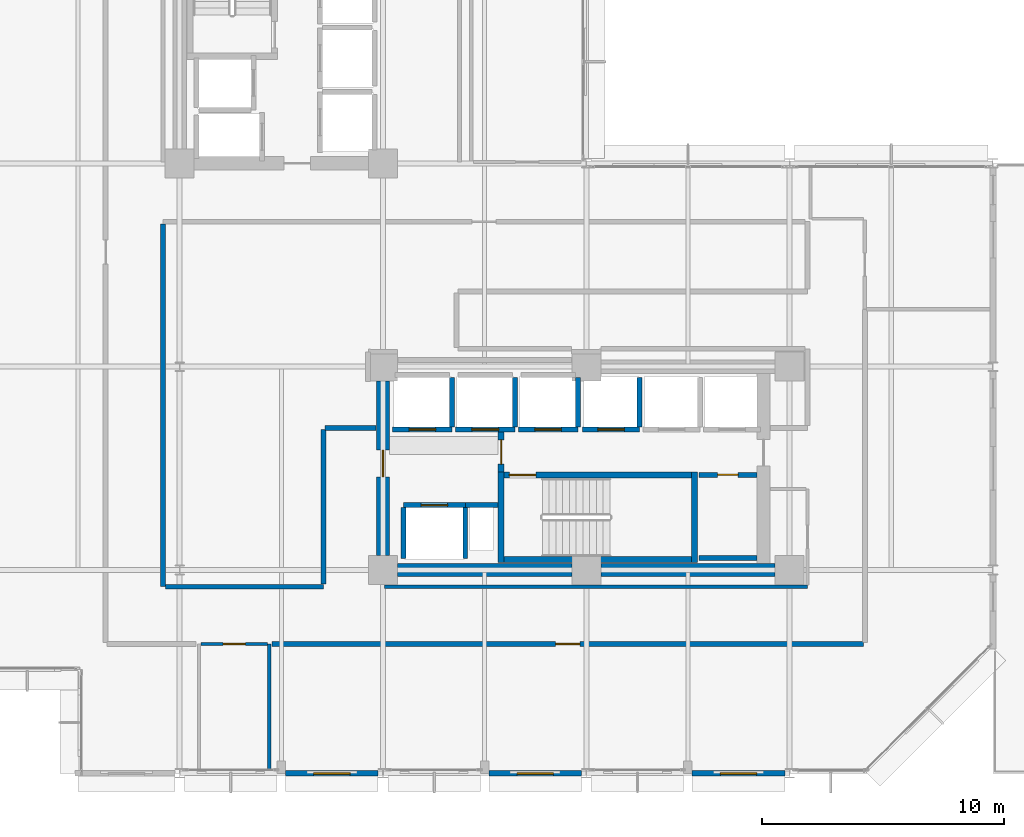
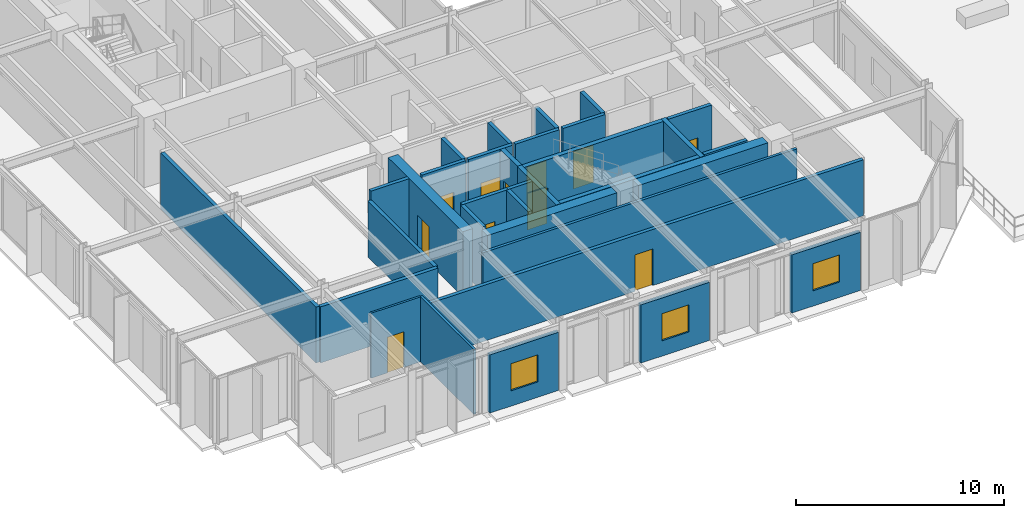
# One storey, part 18 of 25: 33 walls, 11 doors, 3 windows, 14 openings.
"""IFC4 building model written with IfcOpenShell, lengths in metres."""

from ifc_helpers import new_model, si_unit, direction, frame, frame_2d, origin, place, context, subcontext, project, spatial, rectangle, extrude, material, layer, layer_set, type_object, element, fill, save


model = new_model("IFC4")

# Units and contexts
model_context = context("Model", 3, precision=1e-05, world=origin(), true_north=direction((0.0, 1.0)))
body_context = subcontext(model_context, "Body", "Model", "MODEL_VIEW")
ifc_project = project(units=[si_unit("LENGTHUNIT", "METRE"), si_unit("AREAUNIT", "SQUARE_METRE"), si_unit("VOLUMEUNIT", "CUBIC_METRE"), si_unit("PLANEANGLEUNIT", "RADIAN"), si_unit("MASSUNIT", "GRAM", prefix="KILO")], contexts=[model_context])

# Site, building, storey
site_placement = place(None, origin())
site = spatial("IfcSite", under=ifc_project, at=site_placement, CompositionType="ELEMENT")
building_placement = place(site_placement, origin())
building = spatial("IfcBuilding", under=site, at=building_placement, Name="Nerrivon Quay Data Exchange", CompositionType="ELEMENT")
storey_placement = place(building_placement, frame((0.0, 0.0, 113.10009765625)))
storey = spatial("IfcBuildingStorey", under=building, at=storey_placement, Name="L26", CompositionType="ELEMENT", Elevation=113.10009765625)

# Wall, opening, window
ifc_material_1 = material(Name="Architectural terracotta precast concrete N50 (50 MPa)", Category="masonry")
ifc_layer_1 = layer(ifc_material_1, 0.239990234375)
ifc_layer_set_1 = layer_set([ifc_layer_1], Name="Architectural terracotta precast concrete N50 (50 MPa)")
wall_type_1 = type_object("IfcWallType", Name="EW-PREC-240", PredefinedType="STANDARD", material=ifc_layer_set_1)
wall_1_placement = place(storey_placement, frame((33.39990234375, 0.0, 0.0), z_axis=(0.0, 0.0, 1.0), x_axis=(-1.0, 0.0, 0.0)))
wall_1 = element("IfcWall", 1, at=wall_1_placement, inside=storey, type_object=wall_type_1, Name="L26 Podium Precast Spandrel Wall 3", PredefinedType="STANDARD", context=body_context, shape_type="SweptSolid", body=[
    extrude(rectangle(XDim=3.824951171875, YDim=0.239990234375, at=frame_2d((1.91259765625, 0.0))), origin(), (0.0, 0.0, 1.0), 3.421875),
])
opening_1_placement = place(wall_1_placement, frame((1.16259765625, 0.0, 0.89990234375)))
opening_1 = element("IfcOpeningElement", 2, at=opening_1_placement, cuts=wall_1, Name="Opening WN4", PredefinedType="OPENING", context=body_context, shape_type="SweptSolid", body=[
    extrude(rectangle(XDim=1.5, YDim=1.60009765625, at=frame_2d((0.75, 0.800048828125))), frame((0.0, 0.1298828125, 0.0), z_axis=(0.0, -1.0, 0.0), x_axis=(1.0, 0.0, 0.0)), (0.0, 0.0, 1.0), 0.260009765625),
])
ifc_material_2 = material(Name="Double-glazed low-E solar control glass", Category="glass")
window_type = type_object("IfcWindowType", Name="WIN-W4-1500x1600", PartitioningType="SINGLE_PANEL", PredefinedType="WINDOW", material=ifc_material_2)
window_1_placement = place(opening_1_placement, origin())
window_1 = element("IfcWindow", 3, at=window_1_placement, inside=storey, type_object=window_type, Name="L26 Solar Facade Window 3", OverallHeight=1.60009765625, OverallWidth=1.5, PartitioningType="SINGLE_PANEL", PredefinedType="WINDOW", context=body_context, shape_type="SweptSolid", body=[
    extrude(rectangle(XDim=1.5, YDim=1.60009765625, at=frame_2d((0.75, 0.800048828125))), frame((0.0, 0.030029296875, 0.0), z_axis=(0.0, -1.0, 0.0), x_axis=(1.0, 0.0, 0.0)), (0.0, 0.0, 1.0), 0.06005859375),
])
fill(opening_1, window_1)

wall_2_placement = place(storey_placement, frame((25.0, 0.0, 0.0), z_axis=(0.0, 0.0, 1.0), x_axis=(-1.0, 0.0, 0.0)))
wall_2 = element("IfcWall", 4, at=wall_2_placement, inside=storey, type_object=wall_type_1, Name="L26 Podium Precast Spandrel Wall 5", PredefinedType="STANDARD", context=body_context, shape_type="SweptSolid", body=[
    extrude(rectangle(XDim=3.824951171875, YDim=0.239990234375, at=frame_2d((1.91259765625, 0.0))), origin(), (0.0, 0.0, 1.0), 3.421875),
])
opening_2_placement = place(wall_2_placement, frame((1.16259765625, 0.0, 0.89990234375)))
opening_2 = element("IfcOpeningElement", 5, at=opening_2_placement, cuts=wall_2, Name="Opening WN4", PredefinedType="OPENING", context=body_context, shape_type="SweptSolid", body=[
    extrude(rectangle(XDim=1.5, YDim=1.60009765625, at=frame_2d((0.75, 0.800048828125))), frame((0.0, 0.1298828125, 0.0), z_axis=(0.0, -1.0, 0.0), x_axis=(1.0, 0.0, 0.0)), (0.0, 0.0, 1.0), 0.260009765625),
])
window_2_placement = place(opening_2_placement, origin())
window_2 = element("IfcWindow", 6, at=window_2_placement, inside=storey, type_object=window_type, Name="L26 Solar Facade Window 5", OverallHeight=1.60009765625, OverallWidth=1.5, PartitioningType="SINGLE_PANEL", PredefinedType="WINDOW", context=body_context, shape_type="SweptSolid", body=[
    extrude(rectangle(XDim=1.5, YDim=1.60009765625, at=frame_2d((0.75, 0.800048828125))), frame((0.0, 0.030029296875, 0.0), z_axis=(0.0, -1.0, 0.0), x_axis=(1.0, 0.0, 0.0)), (0.0, 0.0, 1.0), 0.06005859375),
])
fill(opening_2, window_2)

wall_3_placement = place(storey_placement, frame((16.60009765625, 0.0, 0.0), z_axis=(0.0, 0.0, 1.0), x_axis=(-1.0, 0.0, 0.0)))
wall_3 = element("IfcWall", 7, at=wall_3_placement, inside=storey, type_object=wall_type_1, Name="L26 Podium Precast Spandrel Wall 7", PredefinedType="STANDARD", context=body_context, shape_type="SweptSolid", body=[
    extrude(rectangle(XDim=3.8251953125, YDim=0.239990234375, at=frame_2d((1.91259765625, 0.0))), origin(), (0.0, 0.0, 1.0), 3.421875),
])
opening_3_placement = place(wall_3_placement, frame((1.16259765625, 0.0, 0.89990234375)))
opening_3 = element("IfcOpeningElement", 8, at=opening_3_placement, cuts=wall_3, Name="Opening WN4", PredefinedType="OPENING", context=body_context, shape_type="SweptSolid", body=[
    extrude(rectangle(XDim=1.5, YDim=1.60009765625, at=frame_2d((0.75, 0.800048828125))), frame((0.0, 0.1298828125, 0.0), z_axis=(0.0, -1.0, 0.0), x_axis=(1.0, 0.0, 0.0)), (0.0, 0.0, 1.0), 0.260009765625),
])
window_3_placement = place(opening_3_placement, origin())
window_3 = element("IfcWindow", 9, at=window_3_placement, inside=storey, type_object=window_type, Name="L26 Solar Facade Window 7", OverallHeight=1.60009765625, OverallWidth=1.5, PartitioningType="SINGLE_PANEL", PredefinedType="WINDOW", context=body_context, shape_type="SweptSolid", body=[
    extrude(rectangle(XDim=1.5, YDim=1.60009765625, at=frame_2d((0.75, 0.800048828125))), frame((0.0, 0.030029296875, 0.0), z_axis=(0.0, -1.0, 0.0), x_axis=(1.0, 0.0, 0.0)), (0.0, 0.0, 1.0), 0.06005859375),
])
fill(opening_3, window_3)

# Walls
ifc_material_3 = material(Name="Concrete S65 (65 MPa)", Category="concrete")
ifc_layer_2 = layer(ifc_material_3, 0.550048828125)
ifc_layer_set_2 = layer_set([ifc_layer_2], Name="Concrete S65 (65 MPa)")
wall_type_2 = type_object("IfcWallType", Name="WALL-CW-700", PredefinedType="SHEAR", material=ifc_layer_set_2)
wall_4_placement = place(storey_placement, frame((17.39990234375, 8.39990234375, 0.0), z_axis=(0.0, 0.0, 1.0), x_axis=(1.0, 0.0, 0.0)))
element("IfcWall", 10, at=wall_4_placement, inside=storey, type_object=wall_type_2, Name="L26 East Split-Core Shear Wall ECW-S1", PredefinedType="SHEAR", context=body_context, shape_type="SweptSolid", body=[
    extrude(rectangle(XDim=7.2001953125, YDim=0.550048828125, at=frame_2d((3.60009765625, 0.0))), origin(), (0.0, 0.0, 1.0), 3.824951171875),
])
wall_5_placement = place(storey_placement, frame((25.800048828125, 8.39990234375, 0.0), z_axis=(0.0, 0.0, 1.0), x_axis=(1.0, 0.0, 0.0)))
element("IfcWall", 11, at=wall_5_placement, inside=storey, type_object=wall_type_2, Name="L26 East Split-Core Shear Wall ECW-S2", PredefinedType="SHEAR", context=body_context, shape_type="SweptSolid", body=[
    extrude(rectangle(XDim=7.199951171875, YDim=0.550048828125, at=frame_2d((3.60009765625, 0.0))), origin(), (0.0, 0.0, 1.0), 3.824951171875),
])

# Wall, opening, door
wall_6_placement = place(storey_placement, frame((16.800048828125, 9.0, 0.0), z_axis=(0.0, 0.0, 1.0), x_axis=(0.0, 1.0, 0.0)))
wall_6 = element("IfcWall", 12, at=wall_6_placement, inside=storey, type_object=wall_type_2, Name="L26 East Split-Core Shear Wall ECW-W1", PredefinedType="SHEAR", context=body_context, shape_type="SweptSolid", body=[
    extrude(rectangle(XDim=7.199951171875, YDim=0.550048828125, at=frame_2d((3.60009765625, 0.0))), origin(), (0.0, 0.0, 1.0), 3.824951171875),
])
opening_4_placement = place(wall_6_placement, frame((3.25, 0.0, 0.0)))
opening_4 = element("IfcOpeningElement", 13, at=opening_4_placement, cuts=wall_6, Name="Opening FD-120", PredefinedType="OPENING", context=body_context, shape_type="SweptSolid", body=[
    extrude(rectangle(XDim=1.10009765625, YDim=2.14990234375, at=frame_2d((0.550048828125, 1.074951171875))), frame((0.0, 0.284912109375, 0.0), z_axis=(0.0, -1.0, 0.0), x_axis=(1.0, 0.0, 0.0)), (0.0, 0.0, 1.0), 0.570068359375),
])
ifc_material_4 = material(Name="Powder-coated galvanized steel sheet", Category="steel")
door_type_1 = type_object("IfcDoorType", Name="DR-FD120-1100", OperationType="NOTDEFINED", PredefinedType="DOOR", material=ifc_material_4)
door_1_placement = place(opening_4_placement, origin())
door_1 = element("IfcDoor", 14, at=door_1_placement, inside=storey, type_object=door_type_1, Name="L26 East Core Lobby Fire Door", OperationType="SINGLE_SWING_RIGHT", OverallHeight=2.14990234375, OverallWidth=1.10009765625, PredefinedType="DOOR", context=body_context, shape_type="SweptSolid", body=[
    extrude(rectangle(XDim=1.10009765625, YDim=2.14990234375, at=frame_2d((0.550048828125, 1.074951171875))), frame((0.0, 0.02490234375, 0.0), z_axis=(0.0, -1.0, 0.0), x_axis=(1.0, 0.0, 0.0)), (0.0, 0.0, 1.0), 0.050048828125),
])
fill(opening_4, door_1)

# Wall
ifc_material_5 = material(Name="Gypsum plasterboard on cold-formed framing", Category="gypsum")
ifc_layer_3 = layer(ifc_material_5, 0.199951171875)
ifc_layer_set_3 = layer_set([ifc_layer_3], Name="Gypsum plasterboard on cold-formed framing")
wall_type_3 = type_object("IfcWallType", Name="WALL-FW-200", PredefinedType="PARTITIONING", material=ifc_layer_set_3)
wall_7_placement = place(storey_placement, frame((20.199951171875, 11.080078125, 0.0), z_axis=(0.0, 0.0, 1.0), x_axis=(1.0, 0.0, 0.0)))
element("IfcWall", 15, at=wall_7_placement, inside=storey, type_object=wall_type_3, Name="L26 East Core MEP Riser Shaft Wall N", PredefinedType="PARTITIONING", context=body_context, shape_type="SweptSolid", body=[
    extrude(rectangle(XDim=1.35009765625, YDim=0.199951171875, at=frame_2d((0.675048828125, 0.0))), origin(), (0.0, 0.0, 1.0), 3.824951171875),
])

# Wall, opening, door
wall_8_placement = place(storey_placement, frame((17.64990234375, 11.080078125, 0.0), z_axis=(0.0, 0.0, 1.0), x_axis=(1.0, 0.0, 0.0)))
wall_8 = element("IfcWall", 16, at=wall_8_placement, inside=storey, type_object=wall_type_3, Name="L26 Lift Front Wall FFL-2", PredefinedType="PARTITIONING", context=body_context, shape_type="SweptSolid", body=[
    extrude(rectangle(XDim=2.550048828125, YDim=0.199951171875, at=frame_2d((1.27490234375, 0.0))), origin(), (0.0, 0.0, 1.0), 3.824951171875),
])
opening_5_placement = place(wall_8_placement, frame((0.72509765625, 0.0, 0.0)))
opening_5 = element("IfcOpeningElement", 17, at=opening_5_placement, cuts=wall_8, Name="Opening LD-120", PredefinedType="OPENING", context=body_context, shape_type="SweptSolid", body=[
    extrude(rectangle(XDim=1.10009765625, YDim=2.199951171875, at=frame_2d((0.550048828125, 1.10009765625))), frame((0.0, 0.10986328125, 0.0), z_axis=(0.0, -1.0, 0.0), x_axis=(1.0, 0.0, 0.0)), (0.0, 0.0, 1.0), 0.219970703125),
])
door_type_2 = type_object("IfcDoorType", Name="DR-LIFT-LD120", OperationType="DOUBLE_DOOR_SLIDING", PredefinedType="DOOR", material=ifc_material_4)
door_2_placement = place(opening_5_placement, origin())
door_2 = element("IfcDoor", 18, at=door_2_placement, inside=storey, type_object=door_type_2, Name="L26 Lift Landing Sliding Door FFL-2", OperationType="DOUBLE_DOOR_SLIDING", OverallHeight=2.199951171875, OverallWidth=1.10009765625, PredefinedType="DOOR", context=body_context, shape_type="SweptSolid", body=[
    extrude(rectangle(XDim=1.10009765625, YDim=2.199951171875, at=frame_2d((0.550048828125, 1.10009765625))), frame((0.0, 0.02490234375, 0.0), z_axis=(0.0, -1.0, 0.0), x_axis=(1.0, 0.0, 0.0)), (0.0, 0.0, 1.0), 0.050048828125),
])
fill(opening_5, door_2)

# Walls
for number, where, z_axis, x_axis, name in (
    (19, (20.199951171875, 8.8798828125, 0.0), (0.0, 0.0, 1.0), (0.0, 1.0, 0.0), "L26 Lift Shaft Wall FFL-2 EAST"),
    (20, (17.64990234375, 8.8798828125, 0.0), (0.0, 0.0, 1.0), (0.0, 1.0, 0.0), "L26 Lift Shaft Wall FFL-2 WEST"),
):
    element("IfcWall", number, at=place(storey_placement, frame(where, z_axis=z_axis, x_axis=x_axis)), inside=storey, type_object=wall_type_3, Name=name, PredefinedType="PARTITIONING", context=body_context, shape_type="SweptSolid", body=[
        extrude(rectangle(XDim=2.10009765625, YDim=0.199951171875, at=frame_2d((1.050048828125, 0.0))), origin(), (0.0, 0.0, 1.0), 3.824951171875),
    ])

# Wall, opening, door
wall_9_placement = place(storey_placement, frame((17.199951171875, 14.199951171875, 0.0), z_axis=(0.0, 0.0, 1.0), x_axis=(1.0, 0.0, 0.0)))
wall_9 = element("IfcWall", 21, at=wall_9_placement, inside=storey, type_object=wall_type_3, Name="L26 Lift Front Wall PL4", PredefinedType="PARTITIONING", context=body_context, shape_type="SweptSolid", body=[
    extrude(rectangle(XDim=2.449951171875, YDim=0.199951171875, at=frame_2d((1.22509765625, 0.0))), origin(), (0.0, 0.0, 1.0), 3.824951171875),
])
opening_6_placement = place(wall_9_placement, frame((0.675048828125, 0.0, 0.0)))
opening_6 = element("IfcOpeningElement", 22, at=opening_6_placement, cuts=wall_9, Name="Opening LD-120", PredefinedType="OPENING", context=body_context, shape_type="SweptSolid", body=[
    extrude(rectangle(XDim=1.10009765625, YDim=2.199951171875, at=frame_2d((0.550048828125, 1.10009765625))), frame((0.0, 0.10986328125, 0.0), z_axis=(0.0, -1.0, 0.0), x_axis=(1.0, 0.0, 0.0)), (0.0, 0.0, 1.0), 0.219970703125),
])
door_3_placement = place(opening_6_placement, origin())
door_3 = element("IfcDoor", 23, at=door_3_placement, inside=storey, type_object=door_type_2, Name="L26 Lift Landing Sliding Door PL4", OperationType="DOUBLE_DOOR_SLIDING", OverallHeight=2.199951171875, OverallWidth=1.10009765625, PredefinedType="DOOR", context=body_context, shape_type="SweptSolid", body=[
    extrude(rectangle(XDim=1.10009765625, YDim=2.199951171875, at=frame_2d((0.550048828125, 1.10009765625))), frame((0.0, 0.02490234375, 0.0), z_axis=(0.0, -1.0, 0.0), x_axis=(1.0, 0.0, 0.0)), (0.0, 0.0, 1.0), 0.050048828125),
])
fill(opening_6, door_3)

# Wall
wall_10_placement = place(storey_placement, frame((19.64990234375, 14.300048828125, 0.0), z_axis=(0.0, 0.0, 1.0), x_axis=(0.0, 1.0, 0.0)))
element("IfcWall", 24, at=wall_10_placement, inside=storey, type_object=wall_type_3, Name="L26 Lift Shaft Wall PL4 EAST", PredefinedType="PARTITIONING", context=body_context, shape_type="SweptSolid", body=[
    extrude(rectangle(XDim=2.050048828125, YDim=0.199951171875, at=frame_2d((1.02490234375, 0.0))), origin(), (0.0, 0.0, 1.0), 3.824951171875),
])

# Wall, opening, door
wall_11_placement = place(storey_placement, frame((19.800048828125, 14.199951171875, 0.0), z_axis=(0.0, 0.0, 1.0), x_axis=(1.0, 0.0, 0.0)))
wall_11 = element("IfcWall", 25, at=wall_11_placement, inside=storey, type_object=wall_type_3, Name="L26 Lift Front Wall PL5", PredefinedType="PARTITIONING", context=body_context, shape_type="SweptSolid", body=[
    extrude(rectangle(XDim=2.449951171875, YDim=0.199951171875, at=frame_2d((1.22509765625, 0.0))), origin(), (0.0, 0.0, 1.0), 3.824951171875),
])
opening_7_placement = place(wall_11_placement, frame((0.675048828125, 0.0, 0.0)))
opening_7 = element("IfcOpeningElement", 26, at=opening_7_placement, cuts=wall_11, Name="Opening LD-120", PredefinedType="OPENING", context=body_context, shape_type="SweptSolid", body=[
    extrude(rectangle(XDim=1.10009765625, YDim=2.199951171875, at=frame_2d((0.550048828125, 1.10009765625))), frame((0.0, 0.10986328125, 0.0), z_axis=(0.0, -1.0, 0.0), x_axis=(1.0, 0.0, 0.0)), (0.0, 0.0, 1.0), 0.219970703125),
])
door_4_placement = place(opening_7_placement, origin())
door_4 = element("IfcDoor", 27, at=door_4_placement, inside=storey, type_object=door_type_2, Name="L26 Lift Landing Sliding Door PL5", OperationType="DOUBLE_DOOR_SLIDING", OverallHeight=2.199951171875, OverallWidth=1.10009765625, PredefinedType="DOOR", context=body_context, shape_type="SweptSolid", body=[
    extrude(rectangle(XDim=1.10009765625, YDim=2.199951171875, at=frame_2d((0.550048828125, 1.10009765625))), frame((0.0, 0.02490234375, 0.0), z_axis=(0.0, -1.0, 0.0), x_axis=(1.0, 0.0, 0.0)), (0.0, 0.0, 1.0), 0.050048828125),
])
fill(opening_7, door_4)

# Wall
wall_12_placement = place(storey_placement, frame((22.25, 14.300048828125, 0.0), z_axis=(0.0, 0.0, 1.0), x_axis=(0.0, 1.0, 0.0)))
element("IfcWall", 28, at=wall_12_placement, inside=storey, type_object=wall_type_3, Name="L26 Lift Shaft Wall PL5 EAST", PredefinedType="PARTITIONING", context=body_context, shape_type="SweptSolid", body=[
    extrude(rectangle(XDim=2.050048828125, YDim=0.199951171875, at=frame_2d((1.02490234375, 0.0))), origin(), (0.0, 0.0, 1.0), 3.824951171875),
])

# Wall, opening, door
wall_13_placement = place(storey_placement, frame((22.39990234375, 14.199951171875, 0.0), z_axis=(0.0, 0.0, 1.0), x_axis=(1.0, 0.0, 0.0)))
wall_13 = element("IfcWall", 29, at=wall_13_placement, inside=storey, type_object=wall_type_3, Name="L26 Lift Front Wall PL6", PredefinedType="PARTITIONING", context=body_context, shape_type="SweptSolid", body=[
    extrude(rectangle(XDim=2.4501953125, YDim=0.199951171875, at=frame_2d((1.22509765625, 0.0))), origin(), (0.0, 0.0, 1.0), 3.824951171875),
])
opening_8_placement = place(wall_13_placement, frame((0.675048828125, 0.0, 0.0)))
opening_8 = element("IfcOpeningElement", 30, at=opening_8_placement, cuts=wall_13, Name="Opening LD-120", PredefinedType="OPENING", context=body_context, shape_type="SweptSolid", body=[
    extrude(rectangle(XDim=1.10009765625, YDim=2.199951171875, at=frame_2d((0.550048828125, 1.10009765625))), frame((0.0, 0.10986328125, 0.0), z_axis=(0.0, -1.0, 0.0), x_axis=(1.0, 0.0, 0.0)), (0.0, 0.0, 1.0), 0.219970703125),
])
door_5_placement = place(opening_8_placement, origin())
door_5 = element("IfcDoor", 31, at=door_5_placement, inside=storey, type_object=door_type_2, Name="L26 Lift Landing Sliding Door PL6", OperationType="DOUBLE_DOOR_SLIDING", OverallHeight=2.199951171875, OverallWidth=1.10009765625, PredefinedType="DOOR", context=body_context, shape_type="SweptSolid", body=[
    extrude(rectangle(XDim=1.10009765625, YDim=2.199951171875, at=frame_2d((0.550048828125, 1.10009765625))), frame((0.0, 0.02490234375, 0.0), z_axis=(0.0, -1.0, 0.0), x_axis=(1.0, 0.0, 0.0)), (0.0, 0.0, 1.0), 0.050048828125),
])
fill(opening_8, door_5)

# Wall
wall_14_placement = place(storey_placement, frame((24.85009765625, 14.300048828125, 0.0), z_axis=(0.0, 0.0, 1.0), x_axis=(0.0, 1.0, 0.0)))
element("IfcWall", 32, at=wall_14_placement, inside=storey, type_object=wall_type_3, Name="L26 Lift Shaft Wall PL6 EAST", PredefinedType="PARTITIONING", context=body_context, shape_type="SweptSolid", body=[
    extrude(rectangle(XDim=2.050048828125, YDim=0.199951171875, at=frame_2d((1.02490234375, 0.0))), origin(), (0.0, 0.0, 1.0), 3.824951171875),
])

# Wall, opening, door
wall_15_placement = place(storey_placement, frame((25.050048828125, 14.199951171875, 0.0), z_axis=(0.0, 0.0, 1.0), x_axis=(1.0, 0.0, 0.0)))
wall_15 = element("IfcWall", 33, at=wall_15_placement, inside=storey, type_object=wall_type_3, Name="L26 Lift Front Wall PL7", PredefinedType="PARTITIONING", context=body_context, shape_type="SweptSolid", body=[
    extrude(rectangle(XDim=2.349853515625, YDim=0.199951171875, at=frame_2d((1.1748046875, 0.0))), origin(), (0.0, 0.0, 1.0), 3.824951171875),
])
opening_9_placement = place(wall_15_placement, frame((0.625, 0.0, 0.0)))
opening_9 = element("IfcOpeningElement", 34, at=opening_9_placement, cuts=wall_15, Name="Opening LD-120", PredefinedType="OPENING", context=body_context, shape_type="SweptSolid", body=[
    extrude(rectangle(XDim=1.10009765625, YDim=2.199951171875, at=frame_2d((0.550048828125, 1.10009765625))), frame((0.0, 0.10986328125, 0.0), z_axis=(0.0, -1.0, 0.0), x_axis=(1.0, 0.0, 0.0)), (0.0, 0.0, 1.0), 0.219970703125),
])
door_6_placement = place(opening_9_placement, origin())
door_6 = element("IfcDoor", 35, at=door_6_placement, inside=storey, type_object=door_type_2, Name="L26 Lift Landing Sliding Door PL7", OperationType="DOUBLE_DOOR_SLIDING", OverallHeight=2.199951171875, OverallWidth=1.10009765625, PredefinedType="DOOR", context=body_context, shape_type="SweptSolid", body=[
    extrude(rectangle(XDim=1.10009765625, YDim=2.199951171875, at=frame_2d((0.550048828125, 1.10009765625))), frame((0.0, 0.02490234375, 0.0), z_axis=(0.0, -1.0, 0.0), x_axis=(1.0, 0.0, 0.0)), (0.0, 0.0, 1.0), 0.050048828125),
])
fill(opening_9, door_6)

# Wall
wall_16_placement = place(storey_placement, frame((27.39990234375, 14.300048828125, 0.0), z_axis=(0.0, 0.0, 1.0), x_axis=(0.0, 1.0, 0.0)))
element("IfcWall", 36, at=wall_16_placement, inside=storey, type_object=wall_type_3, Name="L26 Lift Shaft Wall PL7 EAST", PredefinedType="PARTITIONING", context=body_context, shape_type="SweptSolid", body=[
    extrude(rectangle(XDim=2.050048828125, YDim=0.199951171875, at=frame_2d((1.02490234375, 0.0))), origin(), (0.0, 0.0, 1.0), 3.824951171875),
])

# Wall, opening, door
wall_17_placement = place(storey_placement, frame((32.24609375, 12.330078125, 0.0), z_axis=(0.0, 0.0, 1.0), x_axis=(-1.0, 0.0, 0.0)))
wall_17 = element("IfcWall", 37, at=wall_17_placement, inside=storey, type_object=wall_type_3, Name="L26 Partition East Telecom Closet", PredefinedType="PARTITIONING", context=body_context, shape_type="SweptSolid", body=[
    extrude(rectangle(XDim=2.39599609375, YDim=0.199951171875, at=frame_2d((1.197998046875, 0.0))), origin(), (0.0, 0.0, 1.0), 3.824951171875),
])
opening_10_placement = place(wall_17_placement, frame((0.77294921875, 0.0, 0.0)))
opening_10 = element("IfcOpeningElement", 38, at=opening_10_placement, cuts=wall_17, Name="Opening FD-60S", PredefinedType="OPENING", context=body_context, shape_type="SweptSolid", body=[
    extrude(rectangle(XDim=0.85009765625, YDim=2.14990234375, at=frame_2d((0.425048828125, 1.074951171875))), frame((0.0, 0.10986328125, 0.0), z_axis=(0.0, -1.0, 0.0), x_axis=(1.0, 0.0, 0.0)), (0.0, 0.0, 1.0), 0.219970703125),
])
ifc_material_6 = material(Name="Engineered hardwood timber", Category="wood")
door_type_3 = type_object("IfcDoorType", Name="DR-FD60-850", OperationType="NOTDEFINED", PredefinedType="DOOR", material=ifc_material_6)
door_7_placement = place(opening_10_placement, origin())
door_7 = element("IfcDoor", 39, at=door_7_placement, inside=storey, type_object=door_type_3, Name="L26 Door East Telecom Closet", OperationType="SINGLE_SWING_RIGHT", OverallHeight=2.14990234375, OverallWidth=0.85009765625, PredefinedType="DOOR", context=body_context, shape_type="SweptSolid", body=[
    extrude(rectangle(XDim=0.85009765625, YDim=2.14990234375, at=frame_2d((0.425048828125, 1.074951171875))), frame((0.0, 0.02490234375, 0.0), z_axis=(0.0, -1.0, 0.0), x_axis=(1.0, 0.0, 0.0)), (0.0, 0.0, 1.0), 0.050048828125),
])
fill(opening_10, door_7)

# Walls
wall_18_placement = place(storey_placement, frame((29.85009765625, 8.89990234375, 0.0), z_axis=(0.0, 0.0, 1.0), x_axis=(1.0, 0.0, 0.0)))
element("IfcWall", 40, at=wall_18_placement, inside=storey, type_object=wall_type_3, Name="L26 Partition East Telecom Closet", PredefinedType="PARTITIONING", context=body_context, shape_type="SweptSolid", body=[
    extrude(rectangle(XDim=2.39599609375, YDim=0.199951171875, at=frame_2d((1.197998046875, 0.0))), origin(), (0.0, 0.0, 1.0), 3.824951171875),
])
wall_19_placement = place(storey_placement, frame((14.39990234375, 14.260009765625, 0.0), z_axis=(0.0, 0.0, 1.0), x_axis=(1.0, 0.0, 0.0)))
element("IfcWall", 41, at=wall_19_placement, inside=storey, type_object=wall_type_3, Name="L26 Partition Colocation Data Workspace 1", PredefinedType="PARTITIONING", context=body_context, shape_type="SweptSolid", body=[
    extrude(rectangle(XDim=2.12109375, YDim=0.199951171875, at=frame_2d((1.060546875, 0.0))), origin(), (0.0, 0.0, 1.0), 3.824951171875),
])
wall_20_placement = place(storey_placement, frame((7.7099609375, 22.68603515625, 0.0), z_axis=(0.0, 0.0, 1.0), x_axis=(0.0, -1.0, 0.0)))
element("IfcWall", 42, at=wall_20_placement, inside=storey, type_object=wall_type_3, Name="L26 Partition Colocation Data Workspace 1", PredefinedType="PARTITIONING", context=body_context, shape_type="SweptSolid", body=[
    extrude(rectangle(XDim=14.97607421875, YDim=0.199951171875, at=frame_2d((7.488037109375, 0.0))), origin(), (0.0, 0.0, 1.0), 3.2919921875),
])
wall_21_placement = place(storey_placement, frame((7.81396484375, 7.7099609375, 0.0), z_axis=(0.0, 0.0, 1.0), x_axis=(1.0, 0.0, 0.0)))
element("IfcWall", 43, at=wall_21_placement, inside=storey, type_object=wall_type_3, Name="L26 Partition Colocation Data Workspace 1", PredefinedType="PARTITIONING", context=body_context, shape_type="SweptSolid", body=[
    extrude(rectangle(XDim=6.526123046875, YDim=0.199951171875, at=frame_2d((3.26318359375, 0.0))), origin(), (0.0, 0.0, 1.0), 3.296875),
])
wall_22_placement = place(storey_placement, frame((14.340087890625, 7.81396484375, 0.0), z_axis=(0.0, 0.0, 1.0), x_axis=(0.0, 1.0, 0.0)))
element("IfcWall", 44, at=wall_22_placement, inside=storey, type_object=wall_type_3, Name="L26 Partition Colocation Data Workspace 1", PredefinedType="PARTITIONING", context=body_context, shape_type="SweptSolid", body=[
    extrude(rectangle(XDim=6.385986328125, YDim=0.199951171875, at=frame_2d((3.19287109375, 0.0))), origin(), (0.0, 0.0, 1.0), 3.2919921875),
])

# Wall, opening, door
wall_23_placement = place(storey_placement, frame((36.64990234375, 5.340087890625, 0.0), z_axis=(0.0, 0.0, 1.0), x_axis=(-1.0, 0.0, 0.0)))
wall_23 = element("IfcWall", 45, at=wall_23_placement, inside=storey, type_object=wall_type_3, Name="L26 Partition Sky Lobby Transfer Concourse", PredefinedType="PARTITIONING", context=body_context, shape_type="SweptSolid", body=[
    extrude(rectangle(XDim=24.429931640625, YDim=0.199951171875, at=frame_2d((12.21484375, 0.0))), origin(), (0.0, 0.0, 1.0), 3.296875),
])
opening_11_placement = place(wall_23_placement, frame((11.715087890625, 0.0, 0.0)))
opening_11 = element("IfcOpeningElement", 46, at=opening_11_placement, cuts=wall_23, Name="Opening FD-60", PredefinedType="OPENING", context=body_context, shape_type="SweptSolid", body=[
    extrude(rectangle(XDim=1.0, YDim=2.14990234375, at=frame_2d((0.5, 1.074951171875))), frame((0.0, 0.10986328125, 0.0), z_axis=(0.0, -1.0, 0.0), x_axis=(1.0, 0.0, 0.0)), (0.0, 0.0, 1.0), 0.219970703125),
])
door_type_4 = type_object("IfcDoorType", Name="DR-FD60-1000", OperationType="NOTDEFINED", PredefinedType="DOOR", material=ifc_material_6)
door_8_placement = place(opening_11_placement, origin())
door_8 = element("IfcDoor", 47, at=door_8_placement, inside=storey, type_object=door_type_4, Name="L26 Door Sky Lobby Transfer Concourse", OperationType="SINGLE_SWING_LEFT", OverallHeight=2.14990234375, OverallWidth=1.0, PredefinedType="DOOR", context=body_context, shape_type="SweptSolid", body=[
    extrude(rectangle(XDim=1.0, YDim=2.14990234375, at=frame_2d((0.5, 1.074951171875))), frame((0.0, 0.02490234375, 0.0), z_axis=(0.0, -1.0, 0.0), x_axis=(1.0, 0.0, 0.0)), (0.0, 0.0, 1.0), 0.050048828125),
])
fill(opening_11, door_8)

ifc_layer_4 = layer(ifc_material_5, 0.1201171875)
ifc_layer_set_4 = layer_set([ifc_layer_4], Name="Gypsum plasterboard on cold-formed framing")
wall_type_4 = type_object("IfcWallType", Name="WALL-PT-120", PredefinedType="PARTITIONING", material=ifc_layer_set_4)
wall_24_placement = place(storey_placement, frame((12.028564453125, 5.340087890625, 0.0), z_axis=(0.0, 0.0, 1.0), x_axis=(-1.0, 0.0, 0.0)))
wall_24 = element("IfcWall", 48, at=wall_24_placement, inside=storey, type_object=wall_type_4, Name="L26 Partition Public Washrooms", PredefinedType="PARTITIONING", context=body_context, shape_type="SweptSolid", body=[
    extrude(rectangle(XDim=2.757080078125, YDim=0.1201171875, at=frame_2d((1.37841796875, 0.0))), origin(), (0.0, 0.0, 1.0), 3.824951171875),
])
opening_12_placement = place(wall_24_placement, frame((0.91845703125, 0.0, 0.0)))
opening_12 = element("IfcOpeningElement", 49, at=opening_12_placement, cuts=wall_24, Name="Opening D-WC", PredefinedType="OPENING", context=body_context, shape_type="SweptSolid", body=[
    extrude(rectangle(XDim=0.919921875, YDim=2.10009765625, at=frame_2d((0.4599609375, 1.050048828125))), frame((0.0, 0.070068359375, 0.0), z_axis=(0.0, -1.0, 0.0), x_axis=(1.0, 0.0, 0.0)), (0.0, 0.0, 1.0), 0.14013671875),
])
door_type_5 = type_object("IfcDoorType", Name="DR-WC-920", OperationType="NOTDEFINED", PredefinedType="DOOR", material=ifc_material_6)
door_9_placement = place(opening_12_placement, origin())
door_9 = element("IfcDoor", 50, at=door_9_placement, inside=storey, type_object=door_type_5, Name="L26 Door Public Washrooms", OperationType="SINGLE_SWING_RIGHT", OverallHeight=2.10009765625, OverallWidth=0.919921875, PredefinedType="DOOR", context=body_context, shape_type="SweptSolid", body=[
    extrude(rectangle(XDim=0.919921875, YDim=2.10009765625, at=frame_2d((0.4599609375, 1.050048828125))), frame((0.0, 0.02490234375, 0.0), z_axis=(0.0, -1.0, 0.0), x_axis=(1.0, 0.0, 0.0)), (0.0, 0.0, 1.0), 0.050048828125),
])
fill(opening_12, door_9)

# Walls
ifc_layer_5 = layer(ifc_material_5, 0.135009765625)
ifc_layer_set_5 = layer_set([ifc_layer_5], Name="Gypsum plasterboard on cold-formed framing")
wall_type_5 = type_object("IfcWallType", Name="WALL-PT-135", PredefinedType="PARTITIONING", material=ifc_layer_set_5)
wall_25_placement = place(storey_placement, frame((12.10009765625, 0.1689453125, 0.0), z_axis=(0.0, 0.0, 1.0), x_axis=(0.0, 1.0, 0.0)))
element("IfcWall", 51, at=wall_25_placement, inside=storey, type_object=wall_type_5, Name="L26 Partition Public Washrooms", PredefinedType="PARTITIONING", context=body_context, shape_type="SweptSolid", body=[
    extrude(rectangle(XDim=5.171142578125, YDim=0.135009765625, at=frame_2d((2.58544921875, 0.0))), origin(), (0.0, 0.0, 1.0), 3.824951171875),
])
ifc_layer_6 = layer(ifc_material_5, 0.14990234375)
ifc_layer_set_6 = layer_set([ifc_layer_6], Name="Gypsum plasterboard on cold-formed framing")
wall_type_6 = type_object("IfcWallType", Name="WALL-PT-150", PredefinedType="PARTITIONING", material=ifc_layer_set_6)
wall_26_placement = place(storey_placement, frame((16.860107421875, 7.7099609375, 0.0), z_axis=(0.0, 0.0, 1.0), x_axis=(1.0, 0.0, 0.0)))
element("IfcWall", 52, at=wall_26_placement, inside=storey, type_object=wall_type_6, Name="L26 Partition Staff Pantry", PredefinedType="PARTITIONING", context=body_context, shape_type="SweptSolid", body=[
    extrude(rectangle(XDim=17.47998046875, YDim=0.14990234375, at=frame_2d((8.739990234375, 0.0))), origin(), (0.0, 0.0, 1.0), 3.296875),
])
ifc_material_7 = material(Name="Concrete N50 (50 MPa)", Category="concrete")
ifc_layer_7 = layer(ifc_material_7, 0.25)
ifc_layer_set_7 = layer_set([ifc_layer_7], Name="Concrete N50 (50 MPa)")
wall_type_7 = type_object("IfcWallType", Name="WALL-SW-250", PredefinedType="SHEAR", material=ifc_layer_set_7)
for number, where, z_axis, x_axis, name in (
    (53, (21.675048828125, 8.699951171875, 0.0), (0.0, 0.0, 1.0), (0.0, 1.0, 0.0), "L26 ST02 Structural Stair Core Wall NEAR"),
    (54, (29.675048828125, 8.699951171875, 0.0), (0.0, 0.0, 1.0), (0.0, 1.0, 0.0), "L26 ST02 Structural Stair Core Wall FAR"),
):
    element("IfcWall", number, at=place(storey_placement, frame(where, z_axis=z_axis, x_axis=x_axis)), inside=storey, type_object=wall_type_7, Name=name, PredefinedType="SHEAR", context=body_context, shape_type="SweptSolid", body=[
        extrude(rectangle(XDim=3.75, YDim=0.25, at=frame_2d((1.875, 0.0))), origin(), (0.0, 0.0, 1.0), 3.824951171875),
    ])
wall_27_placement = place(storey_placement, frame((21.800048828125, 8.824951171875, 0.0), z_axis=(0.0, 0.0, 1.0), x_axis=(1.0, 0.0, 0.0)))
element("IfcWall", 55, at=wall_27_placement, inside=storey, type_object=wall_type_7, Name="L26 ST02 Structural Stair Core Wall LEFT", PredefinedType="SHEAR", context=body_context, shape_type="SweptSolid", body=[
    extrude(rectangle(XDim=7.75, YDim=0.25, at=frame_2d((3.875, 0.0))), origin(), (0.0, 0.0, 1.0), 3.824951171875),
])

# Wall, opening, door
wall_28_placement = place(storey_placement, frame((21.800048828125, 12.324951171875, 0.0), z_axis=(0.0, 0.0, 1.0), x_axis=(1.0, 0.0, 0.0)))
wall_28 = element("IfcWall", 56, at=wall_28_placement, inside=storey, type_object=wall_type_7, Name="L26 ST02 Structural Stair Core Wall RIGHT", PredefinedType="SHEAR", context=body_context, shape_type="SweptSolid", body=[
    extrude(rectangle(XDim=7.75, YDim=0.25, at=frame_2d((3.875, 0.0))), origin(), (0.0, 0.0, 1.0), 3.824951171875),
])
opening_13_placement = place(wall_28_placement, frame((0.219970703125, 0.0, 0.0)))
opening_13 = element("IfcOpeningElement", 57, at=opening_13_placement, cuts=wall_28, Name="Opening FD-120", PredefinedType="OPENING", context=body_context, shape_type="SweptSolid", body=[
    extrude(rectangle(XDim=1.10009765625, YDim=2.14990234375, at=frame_2d((0.550048828125, 1.074951171875))), frame((0.0, 0.135009765625, 0.0), z_axis=(0.0, -1.0, 0.0), x_axis=(1.0, 0.0, 0.0)), (0.0, 0.0, 1.0), 0.27001953125),
])
door_10_placement = place(opening_13_placement, origin())
door_10 = element("IfcDoor", 58, at=door_10_placement, inside=storey, type_object=door_type_1, Name="L26 Protected Stair Door ST02", OperationType="SINGLE_SWING_RIGHT", OverallHeight=2.14990234375, OverallWidth=1.10009765625, PredefinedType="DOOR", context=body_context, shape_type="SweptSolid", body=[
    extrude(rectangle(XDim=1.10009765625, YDim=2.14990234375, at=frame_2d((0.550048828125, 1.074951171875))), frame((0.0, 0.02490234375, 0.0), z_axis=(0.0, -1.0, 0.0), x_axis=(1.0, 0.0, 0.0)), (0.0, 0.0, 1.0), 0.050048828125),
])
fill(opening_13, door_10)

wall_29_placement = place(storey_placement, frame((21.679931640625, 12.449951171875, 0.0), z_axis=(0.0, 0.0, 1.0), x_axis=(0.0, 1.0, 0.0)))
wall_29 = element("IfcWall", 59, at=wall_29_placement, inside=storey, type_object=wall_type_7, Name="L26 East Firefighting Lobby Wall", PredefinedType="SHEAR", context=body_context, shape_type="SweptSolid", body=[
    extrude(rectangle(XDim=1.650146484375, YDim=0.25, at=frame_2d((0.8251953125, 0.0))), origin(), (0.0, 0.0, 1.0), 3.824951171875),
])
opening_14_placement = place(wall_29_placement, frame((0.324951171875, 0.0, 0.0)))
opening_14 = element("IfcOpeningElement", 60, at=opening_14_placement, cuts=wall_29, Name="Opening FD-60", PredefinedType="OPENING", context=body_context, shape_type="SweptSolid", body=[
    extrude(rectangle(XDim=1.0, YDim=2.14990234375, at=frame_2d((0.5, 1.074951171875))), frame((0.0, 0.135009765625, 0.0), z_axis=(0.0, -1.0, 0.0), x_axis=(1.0, 0.0, 0.0)), (0.0, 0.0, 1.0), 0.27001953125),
])
door_11_placement = place(opening_14_placement, origin())
door_11 = element("IfcDoor", 61, at=door_11_placement, inside=storey, type_object=door_type_4, Name="L26 East Firefighting Lobby Fire Door", OperationType="SINGLE_SWING_RIGHT", OverallHeight=2.14990234375, OverallWidth=1.0, PredefinedType="DOOR", context=body_context, shape_type="SweptSolid", body=[
    extrude(rectangle(XDim=1.0, YDim=2.14990234375, at=frame_2d((0.5, 1.074951171875))), frame((0.0, 0.02490234375, 0.0), z_axis=(0.0, -1.0, 0.0), x_axis=(1.0, 0.0, 0.0)), (0.0, 0.0, 1.0), 0.050048828125),
])
fill(opening_14, door_11)

save(model, "model.ifc")
